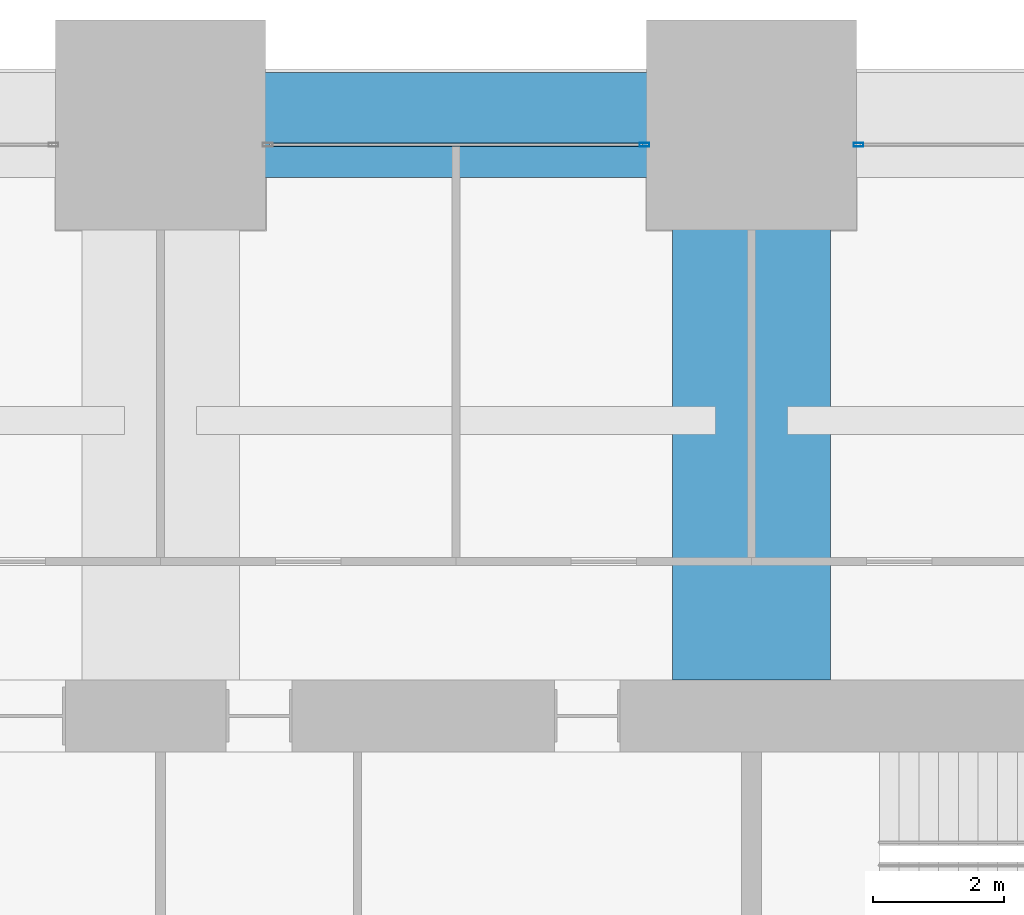
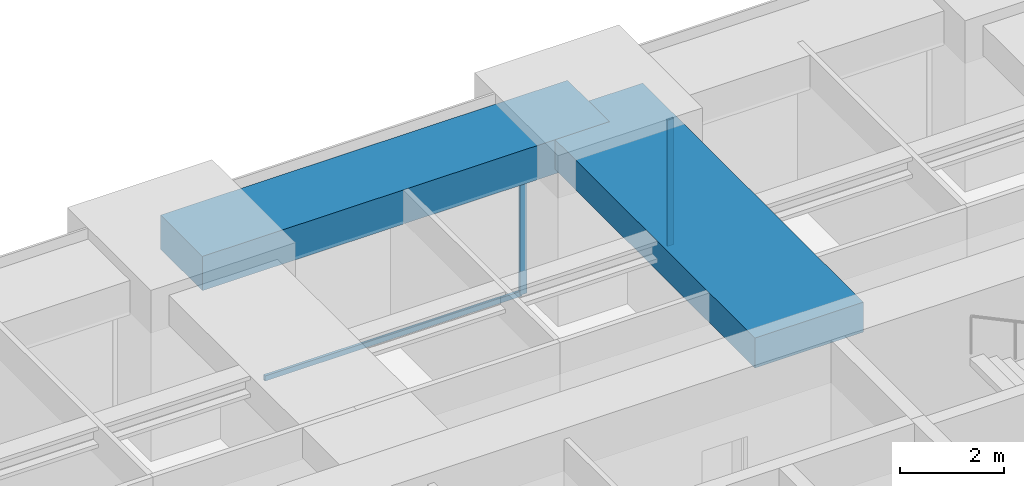
# One storey, part 26 of 36: 3 members, 2 beams, 2 elements without a shape of their own.
"""IFC4 building model written with IfcOpenShell, lengths in metres."""

from ifc_helpers import new_model, si_unit, direction, frame, origin, origin_2d, place, context, subcontext, project, spatial, rectangle, hollow_rectangle, extrude, material, material_profile, profile_set, type_object, element, aggregate, save


model = new_model("IFC4")

# Units and contexts
model_context = context("Model", 3, precision=1e-05, world=origin(), true_north=direction((0.0, 1.0)))
body_context = subcontext(model_context, "Body", "Model", "MODEL_VIEW")
ifc_project = project(units=[si_unit("LENGTHUNIT", "METRE"), si_unit("AREAUNIT", "SQUARE_METRE"), si_unit("VOLUMEUNIT", "CUBIC_METRE"), si_unit("PLANEANGLEUNIT", "RADIAN"), si_unit("MASSUNIT", "GRAM", prefix="KILO")], contexts=[model_context])

# Site, building, storey
site_placement = place(None, origin())
site = spatial("IfcSite", under=ifc_project, at=site_placement, CompositionType="ELEMENT")
building_placement = place(site_placement, origin())
building = spatial("IfcBuilding", under=site, at=building_placement, Name="Zorevar Civic Tower", CompositionType="ELEMENT")
storey_placement = place(building_placement, frame((0.0, 0.0, 166.199951171875)))
storey = spatial("IfcBuildingStorey", under=building, at=storey_placement, Name="L40", CompositionType="ELEMENT", Elevation=166.199951171875)

# Beam
ifc_material_1 = material(Name="Concrete C50/60", Category="concrete")
ifc_material_profile_1 = material_profile(ifc_material_1, rectangle(XDim=2.39990234375, YDim=0.699951171875, at=origin_2d()), Name="RC 2400x700")
ifc_profile_set_1 = profile_set([ifc_material_profile_1], Name="Concrete C50/60")
beam_type_1 = type_object("IfcBeamType", Name="Beam RC 2400x700", PredefinedType="BEAM", material=ifc_profile_set_1)
beam_1_placement = place(storey_placement, frame((36.0, 36.550048828125, 3.400146484375), z_axis=(0.0, 1.0, 0.0), x_axis=(-1.0, 0.0, 0.0)))
element("IfcBeam", 1, at=beam_1_placement, inside=storey, type_object=beam_type_1, Name="Girder L41", PredefinedType="BEAM", context=body_context, shape_type="SweptSolid", body=[
    extrude(rectangle(XDim=2.39990234375, YDim=0.699951171875, at=origin_2d()), origin(), (0.0, 0.0, 1.0), 8.449951171875),
])

# Curtain wall, member
ifc_material_2 = material(Name="Dark grey solar-control glass in black aluminium frame", Category="aluminium")
curtain_wall_type = type_object("IfcCurtainWallType", Name="Curtain wall CW4 high zone", PredefinedType="NOTDEFINED", material=ifc_material_2)
curtain_wall_1_placement = place(storey_placement, origin())
curtain_wall_1 = element("IfcCurtainWall", 2, at=curtain_wall_1_placement, inside=storey, type_object=curtain_wall_type, Name="CW4 L40", PredefinedType="NOTDEFINED")
ifc_material_3 = material(Name="Aluminium, black anodised", Category="aluminium")
ifc_material_profile_2 = material_profile(ifc_material_3, hollow_rectangle(XDim=0.06005859375, YDim=0.14990234375, WallThickness=0.00390625, at=origin_2d()), Name="AL 150x60x4")
ifc_profile_set_2 = profile_set([ifc_material_profile_2], Name="Aluminium, black anodised")
member_type_1 = type_object("IfcMemberType", Name="CW4 mullion AL 150x60x4", PredefinedType="MULLION", material=ifc_profile_set_2)
member_1_placement = place(storey_placement, frame((34.3701171875, 44.699951171875, 0.0), z_axis=(0.0, 0.0, 1.0), x_axis=(0.0, 1.0, 0.0)))
member_1 = element("IfcMember", 3, at=member_1_placement, type_object=member_type_1, Name="CW4 mullion 2", PredefinedType="MULLION", context=body_context, shape_type="SweptSolid", body=[
    extrude(hollow_rectangle(XDim=0.06005859375, YDim=0.14990234375, WallThickness=0.00390625, at=origin_2d()), origin(), (0.0, 0.0, 1.0), 2.949951171875),
])

curtain_wall_2_placement = place(storey_placement, origin())
curtain_wall_2 = element("IfcCurtainWall", 4, at=curtain_wall_2_placement, inside=storey, type_object=curtain_wall_type, Name="CW4 L40", PredefinedType="NOTDEFINED")
member_2_placement = place(storey_placement, frame((37.6298828125, 44.699951171875, 0.0), z_axis=(0.0, 0.0, 1.0), x_axis=(0.0, 1.0, 0.0)))
member_2 = element("IfcMember", 5, at=member_2_placement, type_object=member_type_1, Name="CW4 mullion 1", PredefinedType="MULLION", context=body_context, shape_type="SweptSolid", body=[
    extrude(hollow_rectangle(XDim=0.06005859375, YDim=0.14990234375, WallThickness=0.00390625, at=origin_2d()), origin(), (0.0, 0.0, 1.0), 2.949951171875),
])
aggregate(curtain_wall_2, [member_2])

# Member
ifc_material_4 = material(Name="Aluminium, black anodised", Category="aluminium")
ifc_material_profile_3 = material_profile(ifc_material_4, hollow_rectangle(XDim=0.06005859375, YDim=0.1201171875, WallThickness=0.0029296875, at=origin_2d()), Name="AL 120x60x3")
ifc_profile_set_3 = profile_set([ifc_material_profile_3], Name="Aluminium, black anodised")
member_type_2 = type_object("IfcMemberType", Name="CW4 transom AL 120x60x3", PredefinedType="USERDEFINED", material=ifc_profile_set_3)
member_3_placement = place(storey_placement, frame((28.659912109375, 44.699951171875, 0.030029296875), z_axis=(1.0, 0.0, 0.0), x_axis=(0.0, 1.0, 0.0)))
member_3 = element("IfcMember", 6, at=member_3_placement, type_object=member_type_2, Name="CW4 sill transom", ObjectType="TRANSOM", PredefinedType="USERDEFINED", context=body_context, shape_type="SweptSolid", body=[
    extrude(hollow_rectangle(XDim=0.06005859375, YDim=0.1201171875, WallThickness=0.0029296875, at=origin_2d()), origin(), (0.0, 0.0, 1.0), 5.68017578125),
])

aggregate(curtain_wall_1, [member_1, member_3])

# Beam
ifc_material_5 = material(Name="Concrete C50/60", Category="concrete")
ifc_material_profile_4 = material_profile(ifc_material_5, rectangle(XDim=1.60009765625, YDim=0.800048828125, at=origin_2d()), Name="RC 1600x800")
ifc_profile_set_4 = profile_set([ifc_material_profile_4], Name="Concrete C50/60")
beam_type_2 = type_object("IfcBeamType", Name="Edge beam RC 1600x800", PredefinedType="SPANDREL", material=ifc_profile_set_4)
beam_2_placement = place(storey_placement, frame((27.0, 45.0, 3.35009765625), z_axis=(1.0, 0.0, 0.0), x_axis=(0.0, 1.0, 0.0)))
element("IfcBeam", 7, at=beam_2_placement, inside=storey, type_object=beam_type_2, Name="Edge beam L41", PredefinedType="SPANDREL", context=body_context, shape_type="SweptSolid", body=[
    extrude(rectangle(XDim=1.60009765625, YDim=0.800048828125, at=origin_2d()), origin(), (0.0, 0.0, 1.0), 9.0),
])

save(model, "model.ifc")
